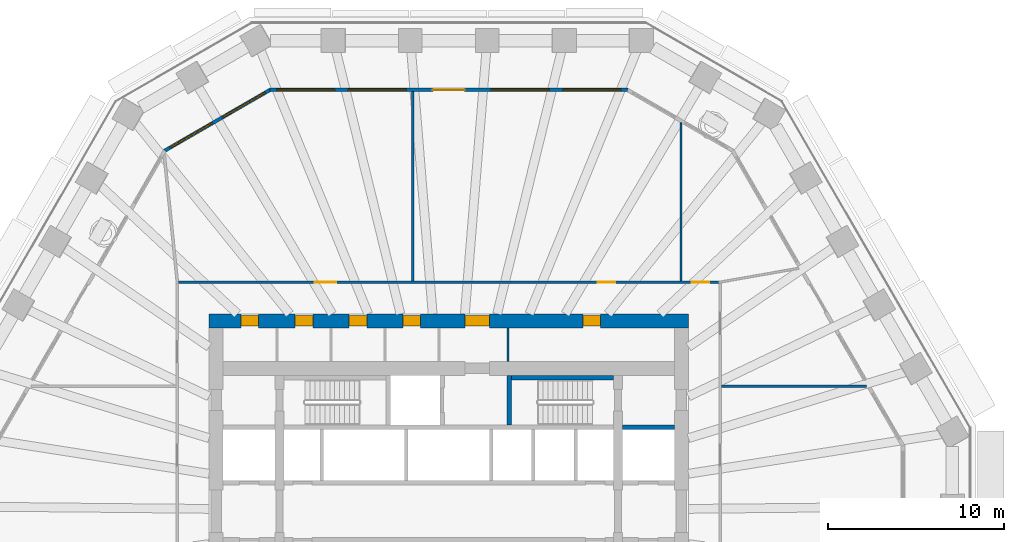
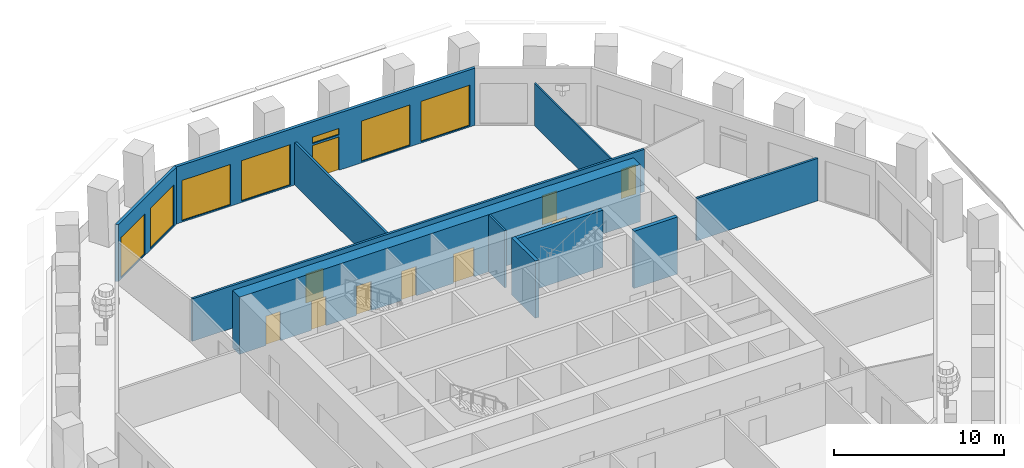
# One storey, part 7 of 12: 11 walls, 10 doors, 7 windows, 17 openings.
"""IFC4 building model written with IfcOpenShell, lengths in metres."""

from ifc_helpers import new_model, si_unit, direction, frame, frame_2d, origin, place, context, subcontext, project, spatial, polyline, rectangle, outline, extrude, material, layer, layer_set, type_object, element, fill, save


model = new_model("IFC4")

# Units and contexts
model_context = context("Model", 3, precision=1e-05, world=origin(), true_north=direction((0.0, 1.0)))
body_context = subcontext(model_context, "Body", "Model", "MODEL_VIEW")
ifc_project = project(units=[si_unit("LENGTHUNIT", "METRE"), si_unit("AREAUNIT", "SQUARE_METRE"), si_unit("VOLUMEUNIT", "CUBIC_METRE"), si_unit("PLANEANGLEUNIT", "RADIAN"), si_unit("MASSUNIT", "GRAM", prefix="KILO")], contexts=[model_context])

# Site, building, storey
site_placement = place(None, origin())
site = spatial("IfcSite", under=ifc_project, at=site_placement, CompositionType="ELEMENT")
building_placement = place(site_placement, origin())
building = spatial("IfcBuilding", under=site, at=building_placement, Name="Frailejon Research Tower", CompositionType="ELEMENT")
storey_placement = place(building_placement, frame((0.0, 0.0, 89.60009765625)))
storey = spatial("IfcBuildingStorey", under=building, at=storey_placement, Name="L19", CompositionType="ELEMENT", Elevation=89.60009765625)

# Wall
ifc_material_1 = material(Name="Plasterboard on steel studs", Category="steel")
ifc_layer_1 = layer(ifc_material_1, 0.125)
ifc_layer_set_1 = layer_set([ifc_layer_1], Name="Core partition 125")
wall_type_1 = type_object("IfcWallType", Name="Core partition 125", PredefinedType="PARTITIONING", material=ifc_layer_set_1)
wall_1_placement = place(storey_placement, frame((3.362548828125, 8.5, 0.0), z_axis=(0.0, 0.0, 1.0), x_axis=(0.0, 1.0, 0.0)))
element("IfcWall", 1, at=wall_1_placement, inside=storey, type_object=wall_type_1, Name="Core partition", PredefinedType="PARTITIONING", context=body_context, shape_type="SweptSolid", body=[
    extrude(rectangle(XDim=1.89990234375, YDim=0.125, at=frame_2d((0.949951171875, 0.0))), origin(), (0.0, 0.0, 1.0), 4.099853515625),
])

# Wall, openings, doors
ifc_material_2 = material(Name="Concrete C70/85", Category="concrete")
ifc_layer_2 = layer(ifc_material_2, 0.800048828125)
ifc_layer_set_2 = layer_set([ifc_layer_2], Name="Core shear wall 800 C70/85")
wall_type_2 = type_object("IfcWallType", Name="Core shear wall 800 C70/85", PredefinedType="SHEAR", material=ifc_layer_set_2)
wall_2_placement = place(storey_placement, frame((-13.60009765625, 10.800048828125, 0.0), z_axis=(0.0, 0.0, 1.0), x_axis=(1.0, 0.0, 0.0)))
wall_2 = element("IfcWall", 2, at=wall_2_placement, inside=storey, type_object=wall_type_2, Name="Core shear wall", PredefinedType="SHEAR", context=body_context, shape_type="SweptSolid", body=[
    extrude(rectangle(XDim=27.2001953125, YDim=0.800048828125, at=frame_2d((13.60009765625, 0.0))), origin(), (0.0, 0.0, 1.0), 4.099853515625),
])
opening_1_placement = place(wall_2_placement, frame((1.79833984375, 0.0, 0.0)))
opening_1 = element("IfcOpeningElement", 3, at=opening_1_placement, cuts=wall_2, Name="Opening D4", PredefinedType="OPENING", context=body_context, shape_type="SweptSolid", body=[
    extrude(rectangle(XDim=1.0, YDim=2.10009765625, at=frame_2d((0.5, 1.050048828125))), frame((0.0, 0.409912109375, 0.0), z_axis=(0.0, -1.0, 0.0), x_axis=(1.0, 0.0, 0.0)), (0.0, 0.0, 1.0), 0.820068359375),
])
opening_2_placement = place(wall_2_placement, frame((4.88916015625, 0.0, 0.0)))
opening_2 = element("IfcOpeningElement", 4, at=opening_2_placement, cuts=wall_2, Name="Opening D4", PredefinedType="OPENING", context=body_context, shape_type="SweptSolid", body=[
    extrude(rectangle(XDim=1.0, YDim=2.10009765625, at=frame_2d((0.5, 1.050048828125))), frame((0.0, 0.409912109375, 0.0), z_axis=(0.0, -1.0, 0.0), x_axis=(1.0, 0.0, 0.0)), (0.0, 0.0, 1.0), 0.820068359375),
])
opening_3_placement = place(wall_2_placement, frame((7.948486328125, 0.0, 0.0)))
opening_3 = element("IfcOpeningElement", 5, at=opening_3_placement, cuts=wall_2, Name="Opening D4", PredefinedType="OPENING", context=body_context, shape_type="SweptSolid", body=[
    extrude(rectangle(XDim=1.0, YDim=2.10009765625, at=frame_2d((0.5, 1.050048828125))), frame((0.0, 0.409912109375, 0.0), z_axis=(0.0, -1.0, 0.0), x_axis=(1.0, 0.0, 0.0)), (0.0, 0.0, 1.0), 0.820068359375),
])
opening_4_placement = place(wall_2_placement, frame((11.0078125, 0.0, 0.0)))
opening_4 = element("IfcOpeningElement", 6, at=opening_4_placement, cuts=wall_2, Name="Opening D4", PredefinedType="OPENING", context=body_context, shape_type="SweptSolid", body=[
    extrude(rectangle(XDim=1.0, YDim=2.10009765625, at=frame_2d((0.5, 1.050048828125))), frame((0.0, 0.409912109375, 0.0), z_axis=(0.0, -1.0, 0.0), x_axis=(1.0, 0.0, 0.0)), (0.0, 0.0, 1.0), 0.820068359375),
])
opening_5_placement = place(wall_2_placement, frame((21.21240234375, 0.0, 0.0)))
opening_5 = element("IfcOpeningElement", 7, at=opening_5_placement, cuts=wall_2, Name="Opening D4", PredefinedType="OPENING", context=body_context, shape_type="SweptSolid", body=[
    extrude(rectangle(XDim=1.0, YDim=2.10009765625, at=frame_2d((0.5, 1.050048828125))), frame((0.0, 0.409912109375, 0.0), z_axis=(0.0, -1.0, 0.0), x_axis=(1.0, 0.0, 0.0)), (0.0, 0.0, 1.0), 0.820068359375),
])
opening_6_placement = place(wall_2_placement, frame((14.52490234375, 0.0, 0.0)))
opening_6 = element("IfcOpeningElement", 8, at=opening_6_placement, cuts=wall_2, Name="Opening D9", PredefinedType="OPENING", context=body_context, shape_type="SweptSolid", body=[
    extrude(rectangle(XDim=1.39990234375, YDim=2.10009765625, at=frame_2d((0.699951171875, 1.050048828125))), frame((0.0, 0.409912109375, 0.0), z_axis=(0.0, -1.0, 0.0), x_axis=(1.0, 0.0, 0.0)), (0.0, 0.0, 1.0), 0.820068359375),
])
ifc_material_3 = material(Name="Steel", Category="steel")
door_type_1 = type_object("IfcDoorType", Name="Goods lobby door", OperationType="DOUBLE_DOOR_SINGLE_SWING", PredefinedType="DOOR", material=ifc_material_3)
door_1_placement = place(opening_6_placement, origin())
door_1 = element("IfcDoor", 9, at=door_1_placement, inside=storey, type_object=door_type_1, Name="Passage door", OperationType="DOUBLE_DOOR_SINGLE_SWING", OverallHeight=2.10009765625, OverallWidth=1.39990234375, PredefinedType="DOOR", context=body_context, shape_type="SweptSolid", body=[
    extrude(rectangle(XDim=1.39990234375, YDim=2.10009765625, at=frame_2d((0.699951171875, 1.050048828125))), frame((0.0, 0.300048828125, 0.0), z_axis=(0.0, -1.0, 0.0), x_axis=(1.0, 0.0, 0.0)), (0.0, 0.0, 1.0), 0.60009765625),
])
fill(opening_6, door_1)
ifc_material_4 = material(Name="Steel", Category="steel")
door_type_2 = type_object("IfcDoorType", Name="Service door", OperationType="SINGLE_SWING_LEFT", PredefinedType="DOOR", material=ifc_material_4)
door_2_placement = place(opening_1_placement, origin())
door_2 = element("IfcDoor", 10, at=door_2_placement, inside=storey, type_object=door_type_2, Name="Room door", OperationType="SINGLE_SWING_RIGHT", OverallHeight=2.10009765625, OverallWidth=1.0, PredefinedType="DOOR", context=body_context, shape_type="SweptSolid", body=[
    extrude(rectangle(XDim=1.0, YDim=2.10009765625, at=frame_2d((0.5, 1.050048828125))), frame((0.0, 0.300048828125, 0.0), z_axis=(0.0, -1.0, 0.0), x_axis=(1.0, 0.0, 0.0)), (0.0, 0.0, 1.0), 0.60009765625),
])
fill(opening_1, door_2)
door_3_placement = place(opening_2_placement, origin())
door_3 = element("IfcDoor", 11, at=door_3_placement, inside=storey, type_object=door_type_2, Name="Room door", OperationType="SINGLE_SWING_LEFT", OverallHeight=2.10009765625, OverallWidth=1.0, PredefinedType="DOOR", context=body_context, shape_type="SweptSolid", body=[
    extrude(rectangle(XDim=1.0, YDim=2.10009765625, at=frame_2d((0.5, 1.050048828125))), frame((0.0, 0.300048828125, 0.0), z_axis=(0.0, -1.0, 0.0), x_axis=(1.0, 0.0, 0.0)), (0.0, 0.0, 1.0), 0.60009765625),
])
fill(opening_2, door_3)
door_4_placement = place(opening_3_placement, origin())
door_4 = element("IfcDoor", 12, at=door_4_placement, inside=storey, type_object=door_type_2, Name="Room door", OperationType="SINGLE_SWING_RIGHT", OverallHeight=2.10009765625, OverallWidth=1.0, PredefinedType="DOOR", context=body_context, shape_type="SweptSolid", body=[
    extrude(rectangle(XDim=1.0, YDim=2.10009765625, at=frame_2d((0.5, 1.050048828125))), frame((0.0, 0.300048828125, 0.0), z_axis=(0.0, -1.0, 0.0), x_axis=(1.0, 0.0, 0.0)), (0.0, 0.0, 1.0), 0.60009765625),
])
fill(opening_3, door_4)
door_5_placement = place(opening_4_placement, origin())
door_5 = element("IfcDoor", 13, at=door_5_placement, inside=storey, type_object=door_type_2, Name="Room door", OperationType="SINGLE_SWING_LEFT", OverallHeight=2.10009765625, OverallWidth=1.0, PredefinedType="DOOR", context=body_context, shape_type="SweptSolid", body=[
    extrude(rectangle(XDim=1.0, YDim=2.10009765625, at=frame_2d((0.5, 1.050048828125))), frame((0.0, 0.300048828125, 0.0), z_axis=(0.0, -1.0, 0.0), x_axis=(1.0, 0.0, 0.0)), (0.0, 0.0, 1.0), 0.60009765625),
])
fill(opening_4, door_5)
door_6_placement = place(opening_5_placement, origin())
door_6 = element("IfcDoor", 14, at=door_6_placement, inside=storey, type_object=door_type_2, Name="Room door", OperationType="SINGLE_SWING_RIGHT", OverallHeight=2.10009765625, OverallWidth=1.0, PredefinedType="DOOR", context=body_context, shape_type="SweptSolid", body=[
    extrude(rectangle(XDim=1.0, YDim=2.10009765625, at=frame_2d((0.5, 1.050048828125))), frame((0.0, 0.300048828125, 0.0), z_axis=(0.0, -1.0, 0.0), x_axis=(1.0, 0.0, 0.0)), (0.0, 0.0, 1.0), 0.60009765625),
])
fill(opening_5, door_6)

ifc_material_5 = material(Name="Gypsum board and masonry partition", Category="masonry")
ifc_layer_3 = layer(ifc_material_5, 0.14990234375)
ifc_layer_set_3 = layer_set([ifc_layer_3], Name="Corridor wall EI 60, gypsum on steel studs 150")
wall_type_3 = type_object("IfcWallType", Name="Corridor wall EI 60, gypsum on steel studs 150", PredefinedType="PARTITIONING", material=ifc_layer_set_3)
wall_3_placement = place(storey_placement, frame((-15.324951171875, 13.0, 0.0), z_axis=(0.0, 0.0, 1.0), x_axis=(1.0, 0.0, 0.0)))
wall_3 = element("IfcWall", 15, at=wall_3_placement, inside=storey, type_object=wall_type_3, Name="T:IW:L19:002", PredefinedType="PARTITIONING", context=body_context, shape_type="SweptSolid", body=[
    extrude(rectangle(XDim=30.675048828125, YDim=0.14990234375, at=frame_2d((15.33740234375, 0.0))), origin(), (0.0, 0.0, 1.0), 3.0498046875),
])
opening_7_placement = place(wall_3_placement, frame((29.11279296875, 0.0, 0.0)))
opening_7 = element("IfcOpeningElement", 16, at=opening_7_placement, cuts=wall_3, Name="Opening D1515", PredefinedType="OPENING", context=body_context, shape_type="SweptSolid", body=[
    extrude(rectangle(XDim=1.0, YDim=2.10009765625, at=frame_2d((0.5, 1.050048828125))), frame((0.0, 0.0849609375, 0.0), z_axis=(0.0, -1.0, 0.0), x_axis=(1.0, 0.0, 0.0)), (0.0, 0.0, 1.0), 0.169921875),
])
opening_8_placement = place(wall_3_placement, frame((23.77294921875, 0.0, 0.0)))
opening_8 = element("IfcOpeningElement", 17, at=opening_8_placement, cuts=wall_3, Name="Opening D1516", PredefinedType="OPENING", context=body_context, shape_type="SweptSolid", body=[
    extrude(rectangle(XDim=1.0, YDim=2.10009765625, at=frame_2d((0.5, 1.050048828125))), frame((0.0, 0.0849609375, 0.0), z_axis=(0.0, -1.0, 0.0), x_axis=(1.0, 0.0, 0.0)), (0.0, 0.0, 1.0), 0.169921875),
])
opening_9_placement = place(wall_3_placement, frame((7.727294921875, 0.0, 0.0)))
opening_9 = element("IfcOpeningElement", 18, at=opening_9_placement, cuts=wall_3, Name="Opening D1517", PredefinedType="OPENING", context=body_context, shape_type="SweptSolid", body=[
    extrude(rectangle(XDim=1.199951171875, YDim=2.10009765625, at=frame_2d((0.60009765625, 1.050048828125))), frame((0.0, 0.0849609375, 0.0), z_axis=(0.0, -1.0, 0.0), x_axis=(1.0, 0.0, 0.0)), (0.0, 0.0, 1.0), 0.169921875),
])
ifc_material_6 = material(Name="Timber door leaf", Category="wood")
door_type_3 = type_object("IfcDoorType", Name="Door laboratory, timber, vision panel 1200", OperationType="NOTDEFINED", PredefinedType="DOOR", material=ifc_material_6)
door_7_placement = place(opening_9_placement, origin())
door_7 = element("IfcDoor", 19, at=door_7_placement, inside=storey, type_object=door_type_3, Name="D1517", OperationType="DOUBLE_DOOR_SINGLE_SWING", OverallHeight=2.10009765625, OverallWidth=1.199951171875, PredefinedType="DOOR", context=body_context, shape_type="SweptSolid", body=[
    extrude(rectangle(XDim=1.199951171875, YDim=2.10009765625, at=frame_2d((0.60009765625, 1.050048828125))), frame((0.0, 0.02490234375, 0.0), z_axis=(0.0, -1.0, 0.0), x_axis=(1.0, 0.0, 0.0)), (0.0, 0.0, 1.0), 0.050048828125),
])
fill(opening_9, door_7)
ifc_material_7 = material(Name="Timber door leaf", Category="wood")
door_type_4 = type_object("IfcDoorType", Name="Door single leaf, timber, steel frame 1000", OperationType="NOTDEFINED", PredefinedType="DOOR", material=ifc_material_7)
door_8_placement = place(opening_7_placement, origin())
door_8 = element("IfcDoor", 20, at=door_8_placement, inside=storey, type_object=door_type_4, Name="D1515", OperationType="SINGLE_SWING_LEFT", OverallHeight=2.10009765625, OverallWidth=1.0, PredefinedType="DOOR", context=body_context, shape_type="SweptSolid", body=[
    extrude(rectangle(XDim=1.0, YDim=2.10009765625, at=frame_2d((0.5, 1.050048828125))), frame((0.0, 0.02490234375, 0.0), z_axis=(0.0, -1.0, 0.0), x_axis=(1.0, 0.0, 0.0)), (0.0, 0.0, 1.0), 0.050048828125),
])
fill(opening_7, door_8)
door_9_placement = place(opening_8_placement, origin())
door_9 = element("IfcDoor", 21, at=door_9_placement, inside=storey, type_object=door_type_4, Name="D1516", OperationType="SINGLE_SWING_RIGHT", OverallHeight=2.10009765625, OverallWidth=1.0, PredefinedType="DOOR", context=body_context, shape_type="SweptSolid", body=[
    extrude(rectangle(XDim=1.0, YDim=2.10009765625, at=frame_2d((0.5, 1.050048828125))), frame((0.0, 0.02490234375, 0.0), z_axis=(0.0, -1.0, 0.0), x_axis=(1.0, 0.0, 0.0)), (0.0, 0.0, 1.0), 0.050048828125),
])
fill(opening_8, door_9)

# Walls
ifc_material_8 = material(Name="Gypsum board and masonry partition", Category="masonry")
ifc_layer_4 = layer(ifc_material_8, 0.14990234375)
ifc_layer_set_4 = layer_set([ifc_layer_4], Name="Laboratory partition, blockwork 150")
wall_type_4 = type_object("IfcWallType", Name="Laboratory partition, blockwork 150", PredefinedType="PARTITIONING", material=ifc_layer_set_4)
wall_4_placement = place(storey_placement, frame((15.47509765625, 7.099609375, 0.0), z_axis=(0.0, 0.0, 1.0), x_axis=(1.0, 0.0, 0.0)))
element("IfcWall", 22, at=wall_4_placement, inside=storey, type_object=wall_type_4, Name="T:IW:L19:006", PredefinedType="PARTITIONING", context=body_context, shape_type="SweptSolid", body=[
    extrude(rectangle(XDim=8.22705078125, YDim=0.14990234375, at=frame_2d((4.113525390625, 0.0))), origin(), (0.0, 0.0, 1.0), 3.0498046875),
])
wall_5_placement = place(storey_placement, frame((-2.03515625, 13.074951171875, 0.0), z_axis=(0.0, 0.0, 1.0), x_axis=(0.0, 1.0, 0.0)))
element("IfcWall", 23, at=wall_5_placement, inside=storey, type_object=wall_type_4, Name="T:IW:L19:009", PredefinedType="PARTITIONING", context=body_context, shape_type="SweptSolid", body=[
    extrude(rectangle(XDim=10.72509765625, YDim=0.14990234375, at=frame_2d((5.362548828125, 0.0))), origin(), (0.0, 0.0, 1.0), 3.0498046875),
])
ifc_material_9 = material(Name="Gypsum board and masonry partition", Category="masonry")
ifc_layer_5 = layer(ifc_material_9, 0.10009765625)
ifc_layer_set_5 = layer_set([ifc_layer_5], Name="Partition, gypsum on steel studs 100")
wall_type_5 = type_object("IfcWallType", Name="Partition, gypsum on steel studs 100", PredefinedType="PARTITIONING", material=ifc_layer_set_5)
wall_6_placement = place(storey_placement, frame((13.17578125, 13.074951171875, 0.0), z_axis=(0.0, 0.0, 1.0), x_axis=(0.0, 1.0, 0.0)))
element("IfcWall", 24, at=wall_6_placement, inside=storey, type_object=wall_type_5, Name="T:IW:L19:015", PredefinedType="PARTITIONING", context=body_context, shape_type="SweptSolid", body=[
    extrude(rectangle(XDim=8.962158203125, YDim=0.10009765625, at=frame_2d((4.48095703125, 0.0))), origin(), (0.0, 0.0, 1.0), 3.0498046875),
])
ifc_material_10 = material(Name="Concrete C70/85", Category="concrete")
ifc_layer_6 = layer(ifc_material_10, 0.25)
ifc_layer_set_6 = layer_set([ifc_layer_6], Name="Shaft wall 250 C70/85")
wall_type_6 = type_object("IfcWallType", Name="Shaft wall 250 C70/85", PredefinedType="SOLIDWALL", material=ifc_layer_set_6)
wall_7_placement = place(storey_placement, frame((9.85009765625, 4.77490234375, 0.0), z_axis=(0.0, 0.0, 1.0), x_axis=(1.0, 0.0, 0.0)))
element("IfcWall", 25, at=wall_7_placement, inside=storey, type_object=wall_type_6, Name="Shaft wall", PredefinedType="SOLIDWALL", context=body_context, shape_type="SweptSolid", body=[
    extrude(rectangle(XDim=2.949951171875, YDim=0.25, at=frame_2d((1.47509765625, 0.0))), origin(), (0.0, 0.0, 1.0), 4.099853515625),
])
wall_8_placement = place(storey_placement, frame((3.550048828125, 7.574951171875, 0.0), z_axis=(0.0, 0.0, 1.0), x_axis=(1.0, 0.0, 0.0)))
element("IfcWall", 26, at=wall_8_placement, inside=storey, type_object=wall_type_6, Name="Shaft wall", PredefinedType="SOLIDWALL", context=body_context, shape_type="SweptSolid", body=[
    extrude(rectangle(XDim=5.800048828125, YDim=0.25, at=frame_2d((2.89990234375, 0.0))), origin(), (0.0, 0.0, 1.0), 4.099853515625),
])
wall_9_placement = place(storey_placement, frame((3.425048828125, 4.89990234375, 0.0), z_axis=(0.0, 0.0, 1.0), x_axis=(0.0, 1.0, 0.0)))
element("IfcWall", 27, at=wall_9_placement, inside=storey, type_object=wall_type_6, Name="Shaft wall", PredefinedType="SOLIDWALL", context=body_context, shape_type="SweptSolid", body=[
    extrude(rectangle(XDim=2.800048828125, YDim=0.25, at=frame_2d((1.39990234375, 0.0))), origin(), (0.0, 0.0, 1.0), 4.099853515625),
])

# Wall, openings, door, windows
ifc_material_11 = material(Name="Concrete C40/50 precast window wall panel", Category="concrete")
ifc_layer_7 = layer(ifc_material_11, 0.199951171875)
ifc_layer_set_7 = layer_set([ifc_layer_7], Name="Window wall 200")
wall_type_7 = type_object("IfcWallType", Name="Window wall 200", PredefinedType="SOLIDWALL", material=ifc_layer_set_7)
wall_10_placement = place(storey_placement, frame((10.14892578125, 23.89990234375, 0.0), z_axis=(0.0, 0.0, 1.0), x_axis=(-1.0, 0.0, 0.0)))
wall_10 = element("IfcWall", 28, at=wall_10_placement, inside=storey, type_object=wall_type_7, Name="Exterior wall L19", PredefinedType="SOLIDWALL", context=body_context, shape_type="SweptSolid", body=[
    extrude(outline(polyline([(-0.02685546875, -0.10009765625), (0.99072265625, -0.10009765625), (2.00830078125, -0.10009765625), (3.02587890625, -0.10009765625), (4.04345703125, -0.10009765625), (5.06103515625, -0.10009765625), (6.07861328125, -0.10009765625), (7.09619140625, -0.10009765625), (8.11376953125, -0.10009765625), (9.13134765625, -0.10009765625), (10.14892578125, -0.10009765625), (11.16650390625, -0.10009765625), (12.18408203125, -0.10009765625), (13.20166015625, -0.10009765625), (14.21923828125, -0.10009765625), (15.23681640625, -0.10009765625), (16.25439453125, -0.10009765625), (17.27197265625, -0.10009765625), (18.28955078125, -0.10009765625), (19.30712890625, -0.10009765625), (20.32470703125, -0.10009765625), (20.27099609375, 0.10009765625), (19.2587890625, 0.10009765625), (18.24658203125, 0.10009765625), (17.234375, 0.10009765625), (16.22216796875, 0.10009765625), (15.2099609375, 0.10009765625), (14.19775390625, 0.10009765625), (13.185546875, 0.10009765625), (12.17333984375, 0.10009765625), (11.1611328125, 0.10009765625), (10.14892578125, 0.10009765625), (9.13671875, 0.10009765625), (8.12451171875, 0.10009765625), (7.1123046875, 0.10009765625), (6.10009765625, 0.10009765625), (5.087890625, 0.10009765625), (4.07568359375, 0.10009765625), (3.0634765625, 0.10009765625), (2.05126953125, 0.10009765625), (1.0390625, 0.10009765625), (0.02685546875, 0.10009765625), (-0.02685546875, -0.10009765625)])), origin(), (0.0, 0.0, 1.0), 4.099853515625),
])
opening_10_placement = place(wall_10_placement, frame((0.3798828125, 0.0, 0.10009765625)))
opening_10 = element("IfcOpeningElement", 29, at=opening_10_placement, cuts=wall_10, Name="Opening W5", PredefinedType="OPENING", context=body_context, shape_type="SweptSolid", body=[
    extrude(rectangle(XDim=3.300048828125, YDim=2.89990234375, at=frame_2d((1.64990234375, 1.449951171875))), frame((0.0, 0.10986328125, 0.0), z_axis=(0.0, -1.0, 0.0), x_axis=(1.0, 0.0, 0.0)), (0.0, 0.0, 1.0), 0.219970703125),
])
opening_11_placement = place(wall_10_placement, frame((4.439453125, 0.0, 0.10009765625)))
opening_11 = element("IfcOpeningElement", 30, at=opening_11_placement, cuts=wall_10, Name="Opening W5", PredefinedType="OPENING", context=body_context, shape_type="SweptSolid", body=[
    extrude(rectangle(XDim=3.300048828125, YDim=2.89990234375, at=frame_2d((1.64990234375, 1.449951171875))), frame((0.0, 0.10986328125, 0.0), z_axis=(0.0, -1.0, 0.0), x_axis=(1.0, 0.0, 0.0)), (0.0, 0.0, 1.0), 0.219970703125),
])
opening_12_placement = place(wall_10_placement, frame((9.248779296875, 0.0, 0.0)))
opening_12 = element("IfcOpeningElement", 31, at=opening_12_placement, cuts=wall_10, Name="Opening LG19-2", PredefinedType="OPENING", context=body_context, shape_type="SweptSolid", body=[
    extrude(rectangle(XDim=1.800048828125, YDim=2.39990234375, at=frame_2d((0.89990234375, 1.199951171875))), frame((0.0, 0.10986328125, 0.0), z_axis=(0.0, -1.0, 0.0), x_axis=(1.0, 0.0, 0.0)), (0.0, 0.0, 1.0), 0.219970703125),
])
opening_13_placement = place(wall_10_placement, frame((9.248779296875, 0.0, 2.550048828125)))
opening_13 = element("IfcOpeningElement", 32, at=opening_13_placement, cuts=wall_10, Name="Opening W1", PredefinedType="OPENING", context=body_context, shape_type="SweptSolid", body=[
    extrude(rectangle(XDim=1.800048828125, YDim=0.449951171875, at=frame_2d((0.89990234375, 0.22509765625))), frame((0.0, 0.10986328125, 0.0), z_axis=(0.0, -1.0, 0.0), x_axis=(1.0, 0.0, 0.0)), (0.0, 0.0, 1.0), 0.219970703125),
])
opening_14_placement = place(wall_10_placement, frame((12.55859375, 0.0, 0.10009765625)))
opening_14 = element("IfcOpeningElement", 33, at=opening_14_placement, cuts=wall_10, Name="Opening W5", PredefinedType="OPENING", context=body_context, shape_type="SweptSolid", body=[
    extrude(rectangle(XDim=3.300048828125, YDim=2.89990234375, at=frame_2d((1.64990234375, 1.449951171875))), frame((0.0, 0.10986328125, 0.0), z_axis=(0.0, -1.0, 0.0), x_axis=(1.0, 0.0, 0.0)), (0.0, 0.0, 1.0), 0.219970703125),
])
opening_15_placement = place(wall_10_placement, frame((16.6181640625, 0.0, 0.10009765625)))
opening_15 = element("IfcOpeningElement", 34, at=opening_15_placement, cuts=wall_10, Name="Opening W5", PredefinedType="OPENING", context=body_context, shape_type="SweptSolid", body=[
    extrude(rectangle(XDim=3.300048828125, YDim=2.89990234375, at=frame_2d((1.64990234375, 1.449951171875))), frame((0.0, 0.10986328125, 0.0), z_axis=(0.0, -1.0, 0.0), x_axis=(1.0, 0.0, 0.0)), (0.0, 0.0, 1.0), 0.219970703125),
])
ifc_material_12 = material(Name="Aluminium framed glazed door leaf", Category="aluminium")
door_type_5 = type_object("IfcDoorType", Name="Loggia door 1800x2400", OperationType="DOUBLE_DOOR_SINGLE_SWING", PredefinedType="DOOR", material=ifc_material_12)
door_10_placement = place(opening_12_placement, origin())
door_10 = element("IfcDoor", 35, at=door_10_placement, inside=storey, type_object=door_type_5, Name="Door LG19-2", OperationType="DOUBLE_DOOR_SINGLE_SWING", OverallHeight=2.39990234375, OverallWidth=1.800048828125, PredefinedType="DOOR", context=body_context, shape_type="SweptSolid", body=[
    extrude(rectangle(XDim=1.800048828125, YDim=2.39990234375, at=frame_2d((0.89990234375, 1.199951171875))), frame((0.0, 0.02490234375, 0.0), z_axis=(0.0, -1.0, 0.0), x_axis=(1.0, 0.0, 0.0)), (0.0, 0.0, 1.0), 0.050048828125),
])
fill(opening_12, door_10)
ifc_material_13 = material(Name="Aluminium framed double glazing", Category="aluminium")
window_type_1 = type_object("IfcWindowType", Name="Window 1800x450", PartitioningType="SINGLE_PANEL", PredefinedType="WINDOW", material=ifc_material_13)
window_1_placement = place(opening_13_placement, origin())
window_1 = element("IfcWindow", 36, at=window_1_placement, inside=storey, type_object=window_type_1, Name="Window L19", OverallHeight=0.449951171875, OverallWidth=1.800048828125, PartitioningType="SINGLE_PANEL", PredefinedType="WINDOW", context=body_context, shape_type="SweptSolid", body=[
    extrude(rectangle(XDim=1.800048828125, YDim=0.449951171875, at=frame_2d((0.89990234375, 0.22509765625))), frame((0.0, 0.030029296875, 0.0), z_axis=(0.0, -1.0, 0.0), x_axis=(1.0, 0.0, 0.0)), (0.0, 0.0, 1.0), 0.06005859375),
])
fill(opening_13, window_1)
ifc_material_14 = material(Name="Aluminium framed double glazing", Category="aluminium")
window_type_2 = type_object("IfcWindowType", Name="Window 3300x2900", PartitioningType="SINGLE_PANEL", PredefinedType="WINDOW", material=ifc_material_14)
window_2_placement = place(opening_10_placement, origin())
window_2 = element("IfcWindow", 37, at=window_2_placement, inside=storey, type_object=window_type_2, Name="Window L19", OverallHeight=2.89990234375, OverallWidth=3.300048828125, PartitioningType="SINGLE_PANEL", PredefinedType="WINDOW", context=body_context, shape_type="SweptSolid", body=[
    extrude(rectangle(XDim=3.300048828125, YDim=2.89990234375, at=frame_2d((1.64990234375, 1.449951171875))), frame((0.0, 0.030029296875, 0.0), z_axis=(0.0, -1.0, 0.0), x_axis=(1.0, 0.0, 0.0)), (0.0, 0.0, 1.0), 0.06005859375),
])
fill(opening_10, window_2)
window_3_placement = place(opening_11_placement, origin())
window_3 = element("IfcWindow", 38, at=window_3_placement, inside=storey, type_object=window_type_2, Name="Window L19", OverallHeight=2.89990234375, OverallWidth=3.300048828125, PartitioningType="SINGLE_PANEL", PredefinedType="WINDOW", context=body_context, shape_type="SweptSolid", body=[
    extrude(rectangle(XDim=3.300048828125, YDim=2.89990234375, at=frame_2d((1.64990234375, 1.449951171875))), frame((0.0, 0.030029296875, 0.0), z_axis=(0.0, -1.0, 0.0), x_axis=(1.0, 0.0, 0.0)), (0.0, 0.0, 1.0), 0.06005859375),
])
fill(opening_11, window_3)
window_4_placement = place(opening_14_placement, origin())
window_4 = element("IfcWindow", 39, at=window_4_placement, inside=storey, type_object=window_type_2, Name="Window L19", OverallHeight=2.89990234375, OverallWidth=3.300048828125, PartitioningType="SINGLE_PANEL", PredefinedType="WINDOW", context=body_context, shape_type="SweptSolid", body=[
    extrude(rectangle(XDim=3.300048828125, YDim=2.89990234375, at=frame_2d((1.64990234375, 1.449951171875))), frame((0.0, 0.030029296875, 0.0), z_axis=(0.0, -1.0, 0.0), x_axis=(1.0, 0.0, 0.0)), (0.0, 0.0, 1.0), 0.06005859375),
])
fill(opening_14, window_4)
window_5_placement = place(opening_15_placement, origin())
window_5 = element("IfcWindow", 40, at=window_5_placement, inside=storey, type_object=window_type_2, Name="Window L19", OverallHeight=2.89990234375, OverallWidth=3.300048828125, PartitioningType="SINGLE_PANEL", PredefinedType="WINDOW", context=body_context, shape_type="SweptSolid", body=[
    extrude(rectangle(XDim=3.300048828125, YDim=2.89990234375, at=frame_2d((1.64990234375, 1.449951171875))), frame((0.0, 0.030029296875, 0.0), z_axis=(0.0, -1.0, 0.0), x_axis=(1.0, 0.0, 0.0)), (0.0, 0.0, 1.0), 0.06005859375),
])
fill(opening_15, window_5)

# Wall, openings, windows
wall_11_placement = place(storey_placement, frame((-10.14892578125, 23.89990234375, 0.0), z_axis=(0.0, 0.0, 1.0), x_axis=(-0.866029458321, -0.49999297727, 0.0)))
wall_11 = element("IfcWall", 41, at=wall_11_placement, inside=storey, type_object=wall_type_7, Name="Exterior wall L19", PredefinedType="SOLIDWALL", context=body_context, shape_type="SweptSolid", body=[
    extrude(outline(polyline([(-0.02685546875, -0.10009765625), (1.1279296875, -0.10009765625), (2.282470703125, -0.10009765625), (3.437255859375, -0.10009765625), (4.592041015625, -0.10009765625), (5.74658203125, -0.10009765625), (6.9013671875, -0.10009765625), (6.84765625, 0.10009765625), (5.7109375, 0.10009765625), (4.573974609375, 0.10009765625), (3.437255859375, 0.10009765625), (2.300537109375, 0.10009765625), (1.16357421875, 0.10009765625), (0.02685546875, 0.10009765625), (-0.02685546875, -0.10009765625)])), origin(), (0.0, 0.0, 1.0), 4.099853515625),
])
opening_16_placement = place(wall_11_placement, frame((0.318603515625, 0.0, 0.10009765625)))
opening_16 = element("IfcOpeningElement", 42, at=opening_16_placement, cuts=wall_11, Name="Opening W3", PredefinedType="OPENING", context=body_context, shape_type="SweptSolid", body=[
    extrude(rectangle(XDim=2.800048828125, YDim=2.89990234375, at=frame_2d((1.39990234375, 1.449951171875))), frame((0.0, 0.10986328125, 0.0), z_axis=(0.0, -1.0, 0.0), x_axis=(1.0, 0.0, 0.0)), (0.0, 0.0, 1.0), 0.219970703125),
])
opening_17_placement = place(wall_11_placement, frame((3.756103515625, 0.0, 0.10009765625)))
opening_17 = element("IfcOpeningElement", 43, at=opening_17_placement, cuts=wall_11, Name="Opening W3", PredefinedType="OPENING", context=body_context, shape_type="SweptSolid", body=[
    extrude(rectangle(XDim=2.800048828125, YDim=2.89990234375, at=frame_2d((1.39990234375, 1.449951171875))), frame((0.0, 0.10986328125, 0.0), z_axis=(0.0, -1.0, 0.0), x_axis=(1.0, 0.0, 0.0)), (0.0, 0.0, 1.0), 0.219970703125),
])
ifc_material_15 = material(Name="Aluminium framed double glazing", Category="aluminium")
window_type_3 = type_object("IfcWindowType", Name="Window 2800x2900", PartitioningType="SINGLE_PANEL", PredefinedType="WINDOW", material=ifc_material_15)
window_6_placement = place(opening_16_placement, origin())
window_6 = element("IfcWindow", 44, at=window_6_placement, inside=storey, type_object=window_type_3, Name="Window L19", OverallHeight=2.89990234375, OverallWidth=2.800048828125, PartitioningType="SINGLE_PANEL", PredefinedType="WINDOW", context=body_context, shape_type="SweptSolid", body=[
    extrude(rectangle(XDim=2.800048828125, YDim=2.89990234375, at=frame_2d((1.39990234375, 1.449951171875))), frame((0.0, 0.030029296875, 0.0), z_axis=(0.0, -1.0, 0.0), x_axis=(1.0, 0.0, 0.0)), (0.0, 0.0, 1.0), 0.06005859375),
])
fill(opening_16, window_6)
window_7_placement = place(opening_17_placement, origin())
window_7 = element("IfcWindow", 45, at=window_7_placement, inside=storey, type_object=window_type_3, Name="Window L19", OverallHeight=2.89990234375, OverallWidth=2.800048828125, PartitioningType="SINGLE_PANEL", PredefinedType="WINDOW", context=body_context, shape_type="SweptSolid", body=[
    extrude(rectangle(XDim=2.800048828125, YDim=2.89990234375, at=frame_2d((1.39990234375, 1.449951171875))), frame((0.0, 0.030029296875, 0.0), z_axis=(0.0, -1.0, 0.0), x_axis=(1.0, 0.0, 0.0)), (0.0, 0.0, 1.0), 0.06005859375),
])
fill(opening_17, window_7)

save(model, "model.ifc")
